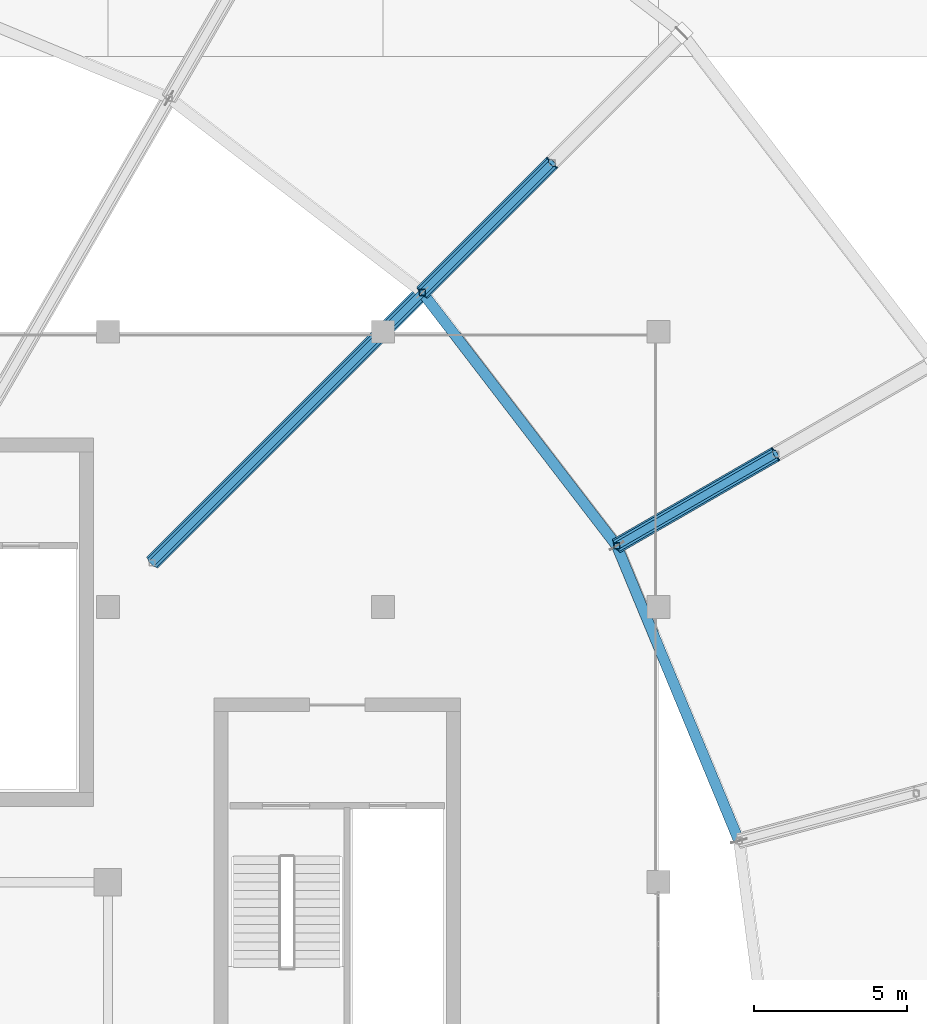
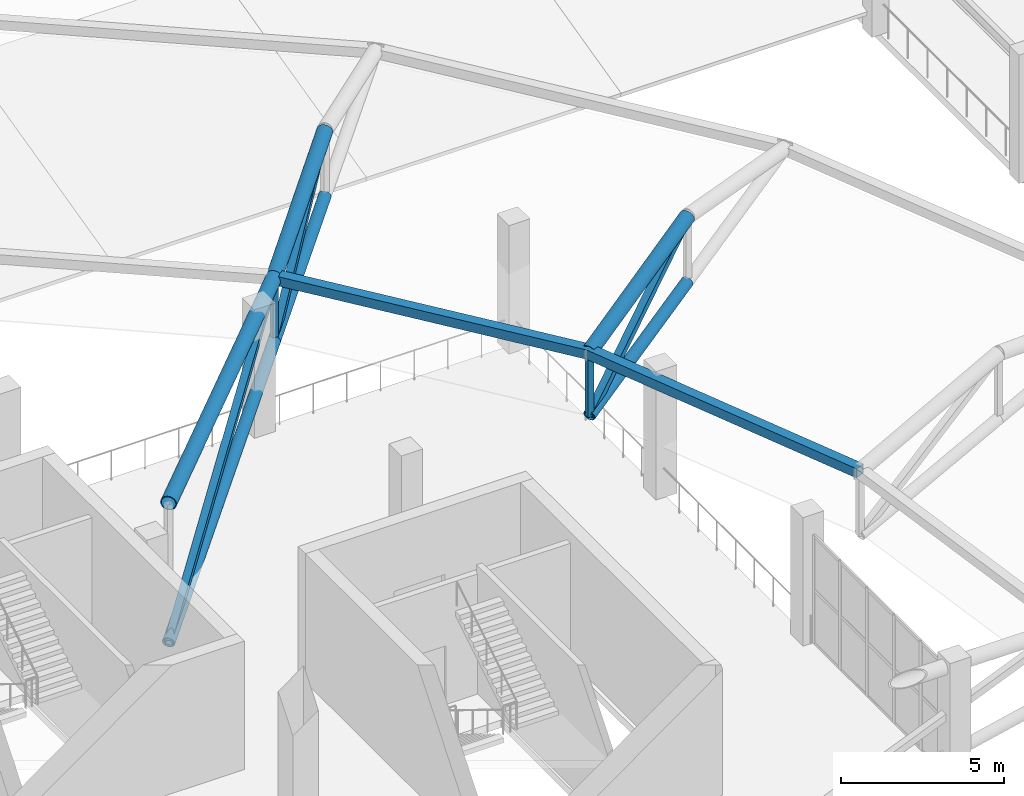
# One storey, part 79 of 167: 13 members.
"""IFC4 building model written with IfcOpenShell, lengths in metres."""

from ifc_helpers import new_model, si_unit, direction, frame, origin, origin_2d, place, context, subcontext, project, spatial, hollow_rectangle, hollow_circle, extrude, material, material_profile, profile_set, type_object, element, save


model = new_model("IFC4")

# Units and contexts
model_context = context("Model", 3, precision=1e-05, world=origin(), true_north=direction((0.0, 1.0)))
body_context = subcontext(model_context, "Body", "Model", "MODEL_VIEW")
ifc_project = project(units=[si_unit("LENGTHUNIT", "METRE"), si_unit("AREAUNIT", "SQUARE_METRE"), si_unit("VOLUMEUNIT", "CUBIC_METRE"), si_unit("PLANEANGLEUNIT", "RADIAN"), si_unit("MASSUNIT", "GRAM", prefix="KILO")], contexts=[model_context])

# Site, building, storey
site_placement = place(None, origin())
site = spatial("IfcSite", under=ifc_project, at=site_placement, CompositionType="ELEMENT")
building_placement = place(site_placement, origin())
building = spatial("IfcBuilding", under=site, at=building_placement, Name="Dornveld Trade and Exhibition Forum", CompositionType="ELEMENT")
storey_placement = place(building_placement, frame((0.0, 0.0, 16.800048828125)))
storey = spatial("IfcBuildingStorey", under=building, at=storey_placement, Name="L03", CompositionType="ELEMENT", Elevation=16.800048828125)

# Members
ifc_material_1 = material(Name="Steel S355J2", Category="steel")
ifc_material_profile_1 = material_profile(ifc_material_1, hollow_circle(Radius=0.203125, WallThickness=0.02001953125, at=origin_2d()), Name="CHS 406.4x20")
ifc_profile_set_1 = profile_set([ifc_material_profile_1], Name="Steel S355J2")
member_type_1 = type_object("IfcMemberType", Name="MEM-DISC-BC", PredefinedType="CHORD", material=ifc_profile_set_1)
member_1_placement = place(storey_placement, frame((151.64111328125, 101.0, 2.07568359375), z_axis=(0.844532722982, 0.487601282714, 0.221380823263), x_axis=(-0.500007758305, 0.866020924479, 0.0)))
element("IfcMember", 1, at=member_1_placement, inside=storey, type_object=member_type_1, Name="Roof disc radial R03 conical bottom chord 3", PredefinedType="CHORD", context=body_context, shape_type="SweptSolid", body=[
    extrude(hollow_circle(Radius=0.203125, WallThickness=0.02001953125, at=origin_2d()), origin(), (0.0, 0.0, 1.0), 6.152587890625),
])
member_2_placement = place(storey_placement, frame((136.4453125, 100.4453125, -0.76220703125), z_axis=(0.689559145785, 0.689559145785, 0.221396406767), x_axis=(-0.707106781187, 0.707106781187, 0.0)))
element("IfcMember", 2, at=member_2_placement, inside=storey, type_object=member_type_1, Name="Roof disc radial R04 conical bottom chord 2", PredefinedType="CHORD", context=body_context, shape_type="SweptSolid", body=[
    extrude(hollow_circle(Radius=0.203125, WallThickness=0.02001953125, at=origin_2d()), origin(), (0.0, 0.0, 1.0), 12.818115234375),
])
member_3_placement = place(storey_placement, frame((145.2841796875, 109.2841796875, 2.07568359375), z_axis=(0.689562451292, 0.689562451292, 0.221375815155), x_axis=(-0.707106781187, 0.707106781187, 0.0)))
element("IfcMember", 3, at=member_3_placement, inside=storey, type_object=member_type_1, Name="Roof disc radial R04 conical bottom chord 3", PredefinedType="CHORD", context=body_context, shape_type="SweptSolid", body=[
    extrude(hollow_circle(Radius=0.203125, WallThickness=0.02001953125, at=origin_2d()), origin(), (0.0, 0.0, 1.0), 6.152587890625),
])
ifc_material_2 = material(Name="Steel S355J2", Category="steel")
ifc_material_profile_2 = material_profile(ifc_material_2, hollow_rectangle(XDim=0.35009765625, YDim=0.35009765625, WallThickness=0.01611328125, at=origin_2d()), Name="SHS 350x350x16")
ifc_profile_set_2 = profile_set([ifc_material_profile_2], Name="Steel S355J2")
member_type_2 = type_object("IfcMemberType", Name="MEM-DISC-RING", PredefinedType="CHORD", material=ifc_profile_set_2)
member_4_placement = place(storey_placement, frame((155.636962890625, 91.352783203125, 4.449951171875), z_axis=(-0.382670482146, 0.923884896561, 0.0), x_axis=(-0.923884896561, -0.382670482146, 0.0)))
element("IfcMember", 4, at=member_4_placement, inside=storey, type_object=member_type_2, Name="Roof disc ring 3 chord 2", PredefinedType="CHORD", context=body_context, shape_type="SweptSolid", body=[
    extrude(hollow_rectangle(XDim=0.35009765625, YDim=0.35009765625, WallThickness=0.01611328125, at=origin_2d()), origin(), (0.0, 0.0, 1.0), 10.44189453125),
])
member_5_placement = place(storey_placement, frame((151.64111328125, 101.0, 4.449951171875), z_axis=(-0.608777037117, 0.793341363525, 0.0), x_axis=(-0.793341363525, -0.608777037117, 0.0)))
element("IfcMember", 5, at=member_5_placement, inside=storey, type_object=member_type_2, Name="Roof disc ring 3 chord 3", PredefinedType="CHORD", context=body_context, shape_type="SweptSolid", body=[
    extrude(hollow_rectangle(XDim=0.35009765625, YDim=0.35009765625, WallThickness=0.01611328125, at=origin_2d()), origin(), (0.0, 0.0, 1.0), 10.442138671875),
])
ifc_material_3 = material(Name="Steel S355J2", Category="steel")
ifc_material_profile_3 = material_profile(ifc_material_3, hollow_rectangle(XDim=0.199951171875, YDim=0.199951171875, WallThickness=0.010009765625, at=origin_2d()), Name="SHS 200x200x10")
ifc_profile_set_3 = profile_set([ifc_material_profile_3], Name="Steel S355J2")
member_type_3 = type_object("IfcMemberType", Name="MEM-DISC-STR", PredefinedType="STRUT", material=ifc_profile_set_3)
for number, where, z_axis, x_axis, name in (
    (6, (151.64111328125, 101.0, 2.07568359375), (0.0, 0.0, 1.0), (1.0, 0.0, 0.0), "Roof disc radial R03 strut 3"),
    (7, (145.2841796875, 109.2841796875, 2.07568359375), (0.0, 0.0, 1.0), (1.0, 0.0, 0.0), "Roof disc radial R04 strut 3"),
):
    element("IfcMember", number, at=place(storey_placement, frame(where, z_axis=z_axis, x_axis=x_axis)), inside=storey, type_object=member_type_3, Name=name, PredefinedType="STRUT", context=body_context, shape_type="SweptSolid", body=[
        extrude(hollow_rectangle(XDim=0.199951171875, YDim=0.199951171875, WallThickness=0.010009765625, at=origin_2d()), origin(), (0.0, 0.0, 1.0), 2.374267578125),
    ])
ifc_material_4 = material(Name="Steel S355J2", Category="steel")
ifc_material_profile_4 = material_profile(ifc_material_4, hollow_circle(Radius=0.25390625, WallThickness=0.02490234375, at=origin_2d()), Name="CHS 508x25")
ifc_profile_set_4 = profile_set([ifc_material_profile_4], Name="Steel S355J2")
member_type_4 = type_object("IfcMemberType", Name="MEM-DISC-TC", PredefinedType="CHORD", material=ifc_profile_set_4)
member_6_placement = place(storey_placement, frame((151.64111328125, 101.0, 4.449951171875), z_axis=(0.842581171387, 0.486474530565, 0.231083319898), x_axis=(-0.500007758305, 0.866020924479, 0.0)))
element("IfcMember", 8, at=member_6_placement, inside=storey, type_object=member_type_4, Name="Roof disc radial R03 top chord 3", PredefinedType="CHORD", context=body_context, shape_type="SweptSolid", body=[
    extrude(hollow_circle(Radius=0.25390625, WallThickness=0.02490234375, at=origin_2d()), origin(), (0.0, 0.0, 1.0), 6.166748046875),
])
member_7_placement = place(storey_placement, frame((136.4453125, 100.4453125, 4.449951171875), z_axis=(0.707106781187, 0.707106781187, 0.0), x_axis=(-0.707106781187, 0.707106781187, 0.0)))
element("IfcMember", 9, at=member_7_placement, inside=storey, type_object=member_type_4, Name="Roof disc radial R04 top chord 2", PredefinedType="CHORD", context=body_context, shape_type="SweptSolid", body=[
    extrude(hollow_circle(Radius=0.25390625, WallThickness=0.02490234375, at=origin_2d()), origin(), (0.0, 0.0, 1.0), 12.5),
])
member_8_placement = place(storey_placement, frame((145.2841796875, 109.2841796875, 4.449951171875), z_axis=(0.687969077833, 0.687969077833, 0.231078116429), x_axis=(-0.707106781187, 0.707106781187, 0.0)))
element("IfcMember", 10, at=member_8_placement, inside=storey, type_object=member_type_4, Name="Roof disc radial R04 top chord 3", PredefinedType="CHORD", context=body_context, shape_type="SweptSolid", body=[
    extrude(hollow_circle(Radius=0.25390625, WallThickness=0.02490234375, at=origin_2d()), origin(), (0.0, 0.0, 1.0), 6.1669921875),
])
ifc_material_5 = material(Name="Steel S355J2", Category="steel")
ifc_material_profile_5 = material_profile(ifc_material_5, hollow_rectangle(XDim=0.25, YDim=0.25, WallThickness=0.012451171875, at=origin_2d()), Name="SHS 250x250x12.5")
ifc_profile_set_5 = profile_set([ifc_material_profile_5], Name="Steel S355J2")
member_type_5 = type_object("IfcMemberType", Name="MEM-DISC-WEB", PredefinedType="BRACE", material=ifc_profile_set_5)
member_9_placement = place(storey_placement, frame((151.64111328125, 101.0, 2.07568359375), z_axis=(0.731665425973, 0.422435970228, 0.534989304092), x_axis=(-0.500007758305, 0.866020924479, 0.0)))
element("IfcMember", 11, at=member_9_placement, inside=storey, type_object=member_type_5, Name="Roof disc radial R03 web 3", PredefinedType="BRACE", context=body_context, shape_type="SweptSolid", body=[
    extrude(hollow_rectangle(XDim=0.25, YDim=0.25, WallThickness=0.012451171875, at=origin_2d()), origin(), (0.0, 0.0, 1.0), 7.1015625),
])
member_10_placement = place(storey_placement, frame((136.4453125, 100.4453125, -0.76220703125), z_axis=(0.652643384165, 0.652643384165, 0.384854811859), x_axis=(-0.707106781187, 0.707106781187, 0.0)))
element("IfcMember", 12, at=member_10_placement, inside=storey, type_object=member_type_5, Name="Roof disc radial R04 web 2", PredefinedType="BRACE", context=body_context, shape_type="SweptSolid", body=[
    extrude(hollow_rectangle(XDim=0.25, YDim=0.25, WallThickness=0.012451171875, at=origin_2d()), origin(), (0.0, 0.0, 1.0), 13.543212890625),
])
member_11_placement = place(storey_placement, frame((145.2841796875, 109.2841796875, 2.07568359375), z_axis=(0.59740947601, 0.59740947601, 0.534980220145), x_axis=(-0.707106781187, 0.707106781187, 0.0)))
element("IfcMember", 13, at=member_11_placement, inside=storey, type_object=member_type_5, Name="Roof disc radial R04 web 3", PredefinedType="BRACE", context=body_context, shape_type="SweptSolid", body=[
    extrude(hollow_rectangle(XDim=0.25, YDim=0.25, WallThickness=0.012451171875, at=origin_2d()), origin(), (0.0, 0.0, 1.0), 7.101806640625),
])

save(model, "model.ifc")
